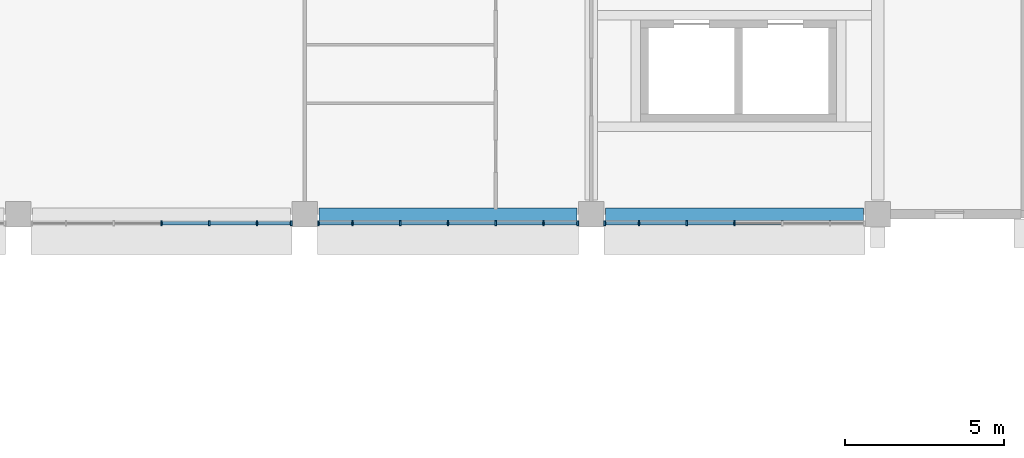
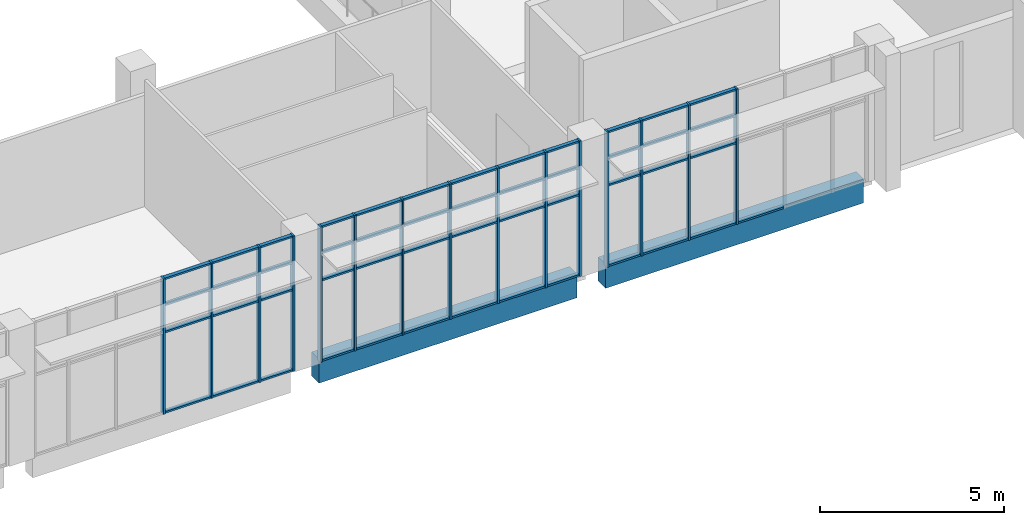
# One storey, part 5 of 106: 64 members, 2 beams, 3 elements without a shape of their own.
"""IFC4 building model written with IfcOpenShell, lengths in metres."""

from ifc_helpers import new_model, si_unit, direction, frame, origin, origin_2d, place, context, subcontext, project, spatial, rectangle, extrude, material, layer, layer_set, material_profile, profile_set, type_object, element, aggregate, save


model = new_model("IFC4")

# Units and contexts
model_context = context("Model", 3, precision=1e-05, world=origin(), true_north=direction((0.0, 1.0)))
body_context = subcontext(model_context, "Body", "Model", "MODEL_VIEW")
ifc_project = project(units=[si_unit("LENGTHUNIT", "METRE"), si_unit("AREAUNIT", "SQUARE_METRE"), si_unit("VOLUMEUNIT", "CUBIC_METRE"), si_unit("PLANEANGLEUNIT", "RADIAN"), si_unit("MASSUNIT", "GRAM", prefix="KILO")], contexts=[model_context])

# Site, building, storey
site_placement = place(None, origin())
site = spatial("IfcSite", under=ifc_project, at=site_placement, CompositionType="ELEMENT")
building_placement = place(site_placement, origin())
building = spatial("IfcBuilding", under=site, at=building_placement, Name="Guidao Yard Department Store", CompositionType="ELEMENT")
storey_placement = place(building_placement, frame((0.0, 0.0, 10.5)))
storey = spatial("IfcBuildingStorey", under=building, at=storey_placement, Name="L02", CompositionType="ELEMENT", Elevation=10.5)

# Curtain wall, members
ifc_material_1 = material(Name="Aluminium and glass", Category="aluminium")
ifc_layer = layer(ifc_material_1, 0.159912109375)
ifc_layer_set = layer_set([ifc_layer], Name="Hall front curtain wall CW2 1500 module")
curtain_wall_type = type_object("IfcCurtainWallType", Name="Hall front curtain wall CW2 1500 module", PredefinedType="NOTDEFINED", material=ifc_layer_set)
curtain_wall_1_placement = place(storey_placement, origin())
curtain_wall_1 = element("IfcCurtainWall", 1, at=curtain_wall_1_placement, inside=storey, type_object=curtain_wall_type, Name="Hall front curtain wall", PredefinedType="NOTDEFINED")
ifc_material_2 = material(Name="Aluminium 6063-T5", Category="aluminium")
ifc_material_profile_1 = material_profile(ifc_material_2, rectangle(XDim=0.06005859375, YDim=0.159912109375, at=origin_2d()), Name="Mullion M1 60 x 160 aluminium pressure plate")
ifc_profile_set_1 = profile_set([ifc_material_profile_1], Name="Aluminium 6063-T5")
member_type_1 = type_object("IfcMemberType", Name="Mullion M1 60 x 160 aluminium pressure plate", PredefinedType="MULLION", material=ifc_profile_set_1)
member_1_placement = place(storey_placement, frame((31.5, 44.719970703125, 0.0), z_axis=(0.0, 0.0, 1.0), x_axis=(-1.0, 0.0, 0.0)))
member_1 = element("IfcMember", 2, at=member_1_placement, type_object=member_type_1, Name="CW-HF-L02-03 mullion 4", PredefinedType="MULLION", context=body_context, shape_type="SweptSolid", body=[
    extrude(rectangle(XDim=0.06005859375, YDim=0.159912109375, at=origin_2d()), origin(), (0.0, 0.0, 1.0), 4.5),
])
member_2_placement = place(storey_placement, frame((33.0, 44.719970703125, 0.0), z_axis=(0.0, 0.0, 1.0), x_axis=(-1.0, 0.0, 0.0)))
member_2 = element("IfcMember", 3, at=member_2_placement, type_object=member_type_1, Name="CW-HF-L02-03 mullion 5", PredefinedType="MULLION", context=body_context, shape_type="SweptSolid", body=[
    extrude(rectangle(XDim=0.06005859375, YDim=0.159912109375, at=origin_2d()), origin(), (0.0, 0.0, 1.0), 4.5),
])
member_3_placement = place(storey_placement, frame((34.5, 44.719970703125, 0.0), z_axis=(0.0, 0.0, 1.0), x_axis=(-1.0, 0.0, 0.0)))
member_3 = element("IfcMember", 4, at=member_3_placement, type_object=member_type_1, Name="CW-HF-L02-03 mullion 6", PredefinedType="MULLION", context=body_context, shape_type="SweptSolid", body=[
    extrude(rectangle(XDim=0.06005859375, YDim=0.159912109375, at=origin_2d()), origin(), (0.0, 0.0, 1.0), 4.5),
])
member_4_placement = place(storey_placement, frame((35.570068359375, 44.719970703125, 0.0), z_axis=(0.0, 0.0, 1.0), x_axis=(-1.0, 0.0, 0.0)))
member_4 = element("IfcMember", 5, at=member_4_placement, type_object=member_type_1, Name="CW-HF-L02-03 mullion 7", PredefinedType="MULLION", context=body_context, shape_type="SweptSolid", body=[
    extrude(rectangle(XDim=0.06005859375, YDim=0.159912109375, at=origin_2d()), origin(), (0.0, 0.0, 1.0), 4.5),
])

curtain_wall_2_placement = place(storey_placement, origin())
curtain_wall_2 = element("IfcCurtainWall", 6, at=curtain_wall_2_placement, inside=storey, type_object=curtain_wall_type, Name="Hall front curtain wall", PredefinedType="NOTDEFINED")
member_5_placement = place(storey_placement, frame((36.429931640625, 44.719970703125, 0.0), z_axis=(0.0, 0.0, 1.0), x_axis=(-1.0, 0.0, 0.0)))
member_5 = element("IfcMember", 7, at=member_5_placement, type_object=member_type_1, Name="CW-HF-L02-04 mullion 1", PredefinedType="MULLION", context=body_context, shape_type="SweptSolid", body=[
    extrude(rectangle(XDim=0.06005859375, YDim=0.159912109375, at=origin_2d()), origin(), (0.0, 0.0, 1.0), 4.5),
])
member_6_placement = place(storey_placement, frame((37.5, 44.719970703125, 0.0), z_axis=(0.0, 0.0, 1.0), x_axis=(-1.0, 0.0, 0.0)))
member_6 = element("IfcMember", 8, at=member_6_placement, type_object=member_type_1, Name="CW-HF-L02-04 mullion 2", PredefinedType="MULLION", context=body_context, shape_type="SweptSolid", body=[
    extrude(rectangle(XDim=0.06005859375, YDim=0.159912109375, at=origin_2d()), origin(), (0.0, 0.0, 1.0), 4.5),
])
member_7_placement = place(storey_placement, frame((39.0, 44.719970703125, 0.0), z_axis=(0.0, 0.0, 1.0), x_axis=(-1.0, 0.0, 0.0)))
member_7 = element("IfcMember", 9, at=member_7_placement, type_object=member_type_1, Name="CW-HF-L02-04 mullion 3", PredefinedType="MULLION", context=body_context, shape_type="SweptSolid", body=[
    extrude(rectangle(XDim=0.06005859375, YDim=0.159912109375, at=origin_2d()), origin(), (0.0, 0.0, 1.0), 4.5),
])
member_8_placement = place(storey_placement, frame((40.5, 44.719970703125, 0.0), z_axis=(0.0, 0.0, 1.0), x_axis=(-1.0, 0.0, 0.0)))
member_8 = element("IfcMember", 10, at=member_8_placement, type_object=member_type_1, Name="CW-HF-L02-04 mullion 4", PredefinedType="MULLION", context=body_context, shape_type="SweptSolid", body=[
    extrude(rectangle(XDim=0.06005859375, YDim=0.159912109375, at=origin_2d()), origin(), (0.0, 0.0, 1.0), 4.5),
])
member_9_placement = place(storey_placement, frame((42.0, 44.719970703125, 0.0), z_axis=(0.0, 0.0, 1.0), x_axis=(-1.0, 0.0, 0.0)))
member_9 = element("IfcMember", 11, at=member_9_placement, type_object=member_type_1, Name="CW-HF-L02-04 mullion 5", PredefinedType="MULLION", context=body_context, shape_type="SweptSolid", body=[
    extrude(rectangle(XDim=0.06005859375, YDim=0.159912109375, at=origin_2d()), origin(), (0.0, 0.0, 1.0), 4.5),
])
member_10_placement = place(storey_placement, frame((43.5, 44.719970703125, 0.0), z_axis=(0.0, 0.0, 1.0), x_axis=(-1.0, 0.0, 0.0)))
member_10 = element("IfcMember", 12, at=member_10_placement, type_object=member_type_1, Name="CW-HF-L02-04 mullion 6", PredefinedType="MULLION", context=body_context, shape_type="SweptSolid", body=[
    extrude(rectangle(XDim=0.06005859375, YDim=0.159912109375, at=origin_2d()), origin(), (0.0, 0.0, 1.0), 4.5),
])
member_11_placement = place(storey_placement, frame((44.570068359375, 44.719970703125, 0.0), z_axis=(0.0, 0.0, 1.0), x_axis=(-1.0, 0.0, 0.0)))
member_11 = element("IfcMember", 13, at=member_11_placement, type_object=member_type_1, Name="CW-HF-L02-04 mullion 7", PredefinedType="MULLION", context=body_context, shape_type="SweptSolid", body=[
    extrude(rectangle(XDim=0.06005859375, YDim=0.159912109375, at=origin_2d()), origin(), (0.0, 0.0, 1.0), 4.5),
])

curtain_wall_3_placement = place(storey_placement, origin())
curtain_wall_3 = element("IfcCurtainWall", 14, at=curtain_wall_3_placement, inside=storey, type_object=curtain_wall_type, Name="Hall front curtain wall", PredefinedType="NOTDEFINED")
member_12_placement = place(storey_placement, frame((45.429931640625, 44.719970703125, 0.0), z_axis=(0.0, 0.0, 1.0), x_axis=(-1.0, 0.0, 0.0)))
member_12 = element("IfcMember", 15, at=member_12_placement, type_object=member_type_1, Name="CW-HF-L02-05 mullion 1", PredefinedType="MULLION", context=body_context, shape_type="SweptSolid", body=[
    extrude(rectangle(XDim=0.06005859375, YDim=0.159912109375, at=origin_2d()), origin(), (0.0, 0.0, 1.0), 4.5),
])
member_13_placement = place(storey_placement, frame((46.5, 44.719970703125, 0.0), z_axis=(0.0, 0.0, 1.0), x_axis=(-1.0, 0.0, 0.0)))
member_13 = element("IfcMember", 16, at=member_13_placement, type_object=member_type_1, Name="CW-HF-L02-05 mullion 2", PredefinedType="MULLION", context=body_context, shape_type="SweptSolid", body=[
    extrude(rectangle(XDim=0.06005859375, YDim=0.159912109375, at=origin_2d()), origin(), (0.0, 0.0, 1.0), 4.5),
])
member_14_placement = place(storey_placement, frame((48.0, 44.719970703125, 0.0), z_axis=(0.0, 0.0, 1.0), x_axis=(-1.0, 0.0, 0.0)))
member_14 = element("IfcMember", 17, at=member_14_placement, type_object=member_type_1, Name="CW-HF-L02-05 mullion 3", PredefinedType="MULLION", context=body_context, shape_type="SweptSolid", body=[
    extrude(rectangle(XDim=0.06005859375, YDim=0.159912109375, at=origin_2d()), origin(), (0.0, 0.0, 1.0), 4.5),
])
member_15_placement = place(storey_placement, frame((49.5, 44.719970703125, 0.0), z_axis=(0.0, 0.0, 1.0), x_axis=(-1.0, 0.0, 0.0)))
member_15 = element("IfcMember", 18, at=member_15_placement, type_object=member_type_1, Name="CW-HF-L02-05 mullion 4", PredefinedType="MULLION", context=body_context, shape_type="SweptSolid", body=[
    extrude(rectangle(XDim=0.06005859375, YDim=0.159912109375, at=origin_2d()), origin(), (0.0, 0.0, 1.0), 4.5),
])

# Beams
ifc_material_3 = material(Name="Concrete C40", Category="concrete")
ifc_material_profile_2 = material_profile(ifc_material_3, rectangle(XDim=0.39990234375, YDim=0.800048828125, at=origin_2d()), Name="Spandrel beam 400 x 800 C40")
ifc_profile_set_2 = profile_set([ifc_material_profile_2], Name="Concrete C40")
beam_type = type_object("IfcBeamType", Name="Spandrel beam 400 x 800 C40", PredefinedType="SPANDREL", material=ifc_profile_set_2)
for number, where, z_axis, x_axis, name in (
    (19, (36.449951171875, 45.0, -0.39990234375), (1.0, 0.0, 0.0), (0.0, 1.0, 0.0), "Beam EB04"),
    (20, (45.449951171875, 45.0, -0.39990234375), (1.0, 0.0, 0.0), (0.0, 1.0, 0.0), "Beam EB05"),
):
    element("IfcBeam", number, at=place(storey_placement, frame(where, z_axis=z_axis, x_axis=x_axis)), inside=storey, type_object=beam_type, Name=name, PredefinedType="SPANDREL", context=body_context, shape_type="SweptSolid", body=[
        extrude(rectangle(XDim=0.39990234375, YDim=0.800048828125, at=origin_2d()), origin(), (0.0, 0.0, 1.0), 8.10009765625),
    ])

# Member
ifc_material_4 = material(Name="Aluminium 6063-T5", Category="aluminium")
ifc_material_profile_3 = material_profile(ifc_material_4, rectangle(XDim=0.1201171875, YDim=0.06005859375, at=origin_2d()), Name="Transom T1 60 x 120 aluminium pressure plate")
ifc_profile_set_3 = profile_set([ifc_material_profile_3], Name="Aluminium 6063-T5")
member_type_2 = type_object("IfcMemberType", Name="Transom T1 60 x 120 aluminium pressure plate", PredefinedType="USERDEFINED", material=ifc_profile_set_3)
member_16_placement = place(storey_placement, frame((32.969970703125, 44.719970703125, 0.030029296875), z_axis=(-1.0, 0.0, 0.0), x_axis=(0.0, -1.0, 0.0)))
member_16 = element("IfcMember", 21, at=member_16_placement, type_object=member_type_2, Name="CW-HF-L02-03 transom 4.1", ObjectType="TRANSOM", PredefinedType="USERDEFINED", context=body_context, shape_type="SweptSolid", body=[
    extrude(rectangle(XDim=0.1201171875, YDim=0.06005859375, at=origin_2d()), origin(), (0.0, 0.0, 1.0), 1.43994140625),
])

member_17_placement = place(storey_placement, frame((32.969970703125, 44.719970703125, 2.699951171875), z_axis=(-1.0, 0.0, 0.0), x_axis=(0.0, -1.0, 0.0)))
member_17 = element("IfcMember", 22, at=member_17_placement, type_object=member_type_2, Name="CW-HF-L02-03 transom 4.2", ObjectType="TRANSOM", PredefinedType="USERDEFINED", context=body_context, shape_type="SweptSolid", body=[
    extrude(rectangle(XDim=0.1201171875, YDim=0.06005859375, at=origin_2d()), origin(), (0.0, 0.0, 1.0), 1.43994140625),
])

member_18_placement = place(storey_placement, frame((32.969970703125, 44.719970703125, 3.60009765625), z_axis=(-1.0, 0.0, 0.0), x_axis=(0.0, -1.0, 0.0)))
member_18 = element("IfcMember", 23, at=member_18_placement, type_object=member_type_2, Name="CW-HF-L02-03 transom 4.3", ObjectType="TRANSOM", PredefinedType="USERDEFINED", context=body_context, shape_type="SweptSolid", body=[
    extrude(rectangle(XDim=0.1201171875, YDim=0.06005859375, at=origin_2d()), origin(), (0.0, 0.0, 1.0), 1.43994140625),
])

member_19_placement = place(storey_placement, frame((32.969970703125, 44.719970703125, 4.469970703125), z_axis=(-1.0, 0.0, 0.0), x_axis=(0.0, -1.0, 0.0)))
member_19 = element("IfcMember", 24, at=member_19_placement, type_object=member_type_2, Name="CW-HF-L02-03 transom 4.4", ObjectType="TRANSOM", PredefinedType="USERDEFINED", context=body_context, shape_type="SweptSolid", body=[
    extrude(rectangle(XDim=0.1201171875, YDim=0.06005859375, at=origin_2d()), origin(), (0.0, 0.0, 1.0), 1.43994140625),
])

member_20_placement = place(storey_placement, frame((34.469970703125, 44.719970703125, 0.030029296875), z_axis=(-1.0, 0.0, 0.0), x_axis=(0.0, -1.0, 0.0)))
member_20 = element("IfcMember", 25, at=member_20_placement, type_object=member_type_2, Name="CW-HF-L02-03 transom 5.1", ObjectType="TRANSOM", PredefinedType="USERDEFINED", context=body_context, shape_type="SweptSolid", body=[
    extrude(rectangle(XDim=0.1201171875, YDim=0.06005859375, at=origin_2d()), origin(), (0.0, 0.0, 1.0), 1.43994140625),
])

member_21_placement = place(storey_placement, frame((34.469970703125, 44.719970703125, 2.699951171875), z_axis=(-1.0, 0.0, 0.0), x_axis=(0.0, -1.0, 0.0)))
member_21 = element("IfcMember", 26, at=member_21_placement, type_object=member_type_2, Name="CW-HF-L02-03 transom 5.2", ObjectType="TRANSOM", PredefinedType="USERDEFINED", context=body_context, shape_type="SweptSolid", body=[
    extrude(rectangle(XDim=0.1201171875, YDim=0.06005859375, at=origin_2d()), origin(), (0.0, 0.0, 1.0), 1.43994140625),
])

member_22_placement = place(storey_placement, frame((34.469970703125, 44.719970703125, 3.60009765625), z_axis=(-1.0, 0.0, 0.0), x_axis=(0.0, -1.0, 0.0)))
member_22 = element("IfcMember", 27, at=member_22_placement, type_object=member_type_2, Name="CW-HF-L02-03 transom 5.3", ObjectType="TRANSOM", PredefinedType="USERDEFINED", context=body_context, shape_type="SweptSolid", body=[
    extrude(rectangle(XDim=0.1201171875, YDim=0.06005859375, at=origin_2d()), origin(), (0.0, 0.0, 1.0), 1.43994140625),
])

member_23_placement = place(storey_placement, frame((34.469970703125, 44.719970703125, 4.469970703125), z_axis=(-1.0, 0.0, 0.0), x_axis=(0.0, -1.0, 0.0)))
member_23 = element("IfcMember", 28, at=member_23_placement, type_object=member_type_2, Name="CW-HF-L02-03 transom 5.4", ObjectType="TRANSOM", PredefinedType="USERDEFINED", context=body_context, shape_type="SweptSolid", body=[
    extrude(rectangle(XDim=0.1201171875, YDim=0.06005859375, at=origin_2d()), origin(), (0.0, 0.0, 1.0), 1.43994140625),
])

member_24_placement = place(storey_placement, frame((35.5400390625, 44.719970703125, 0.030029296875), z_axis=(-1.0, 0.0, 0.0), x_axis=(0.0, -1.0, 0.0)))
member_24 = element("IfcMember", 29, at=member_24_placement, type_object=member_type_2, Name="CW-HF-L02-03 transom 6.1", ObjectType="TRANSOM", PredefinedType="USERDEFINED", context=body_context, shape_type="SweptSolid", body=[
    extrude(rectangle(XDim=0.1201171875, YDim=0.06005859375, at=origin_2d()), origin(), (0.0, 0.0, 1.0), 1.010009765625),
])

member_25_placement = place(storey_placement, frame((35.5400390625, 44.719970703125, 2.699951171875), z_axis=(-1.0, 0.0, 0.0), x_axis=(0.0, -1.0, 0.0)))
member_25 = element("IfcMember", 30, at=member_25_placement, type_object=member_type_2, Name="CW-HF-L02-03 transom 6.2", ObjectType="TRANSOM", PredefinedType="USERDEFINED", context=body_context, shape_type="SweptSolid", body=[
    extrude(rectangle(XDim=0.1201171875, YDim=0.06005859375, at=origin_2d()), origin(), (0.0, 0.0, 1.0), 1.010009765625),
])

member_26_placement = place(storey_placement, frame((35.5400390625, 44.719970703125, 3.60009765625), z_axis=(-1.0, 0.0, 0.0), x_axis=(0.0, -1.0, 0.0)))
member_26 = element("IfcMember", 31, at=member_26_placement, type_object=member_type_2, Name="CW-HF-L02-03 transom 6.3", ObjectType="TRANSOM", PredefinedType="USERDEFINED", context=body_context, shape_type="SweptSolid", body=[
    extrude(rectangle(XDim=0.1201171875, YDim=0.06005859375, at=origin_2d()), origin(), (0.0, 0.0, 1.0), 1.010009765625),
])

member_27_placement = place(storey_placement, frame((35.5400390625, 44.719970703125, 4.469970703125), z_axis=(-1.0, 0.0, 0.0), x_axis=(0.0, -1.0, 0.0)))
member_27 = element("IfcMember", 32, at=member_27_placement, type_object=member_type_2, Name="CW-HF-L02-03 transom 6.4", ObjectType="TRANSOM", PredefinedType="USERDEFINED", context=body_context, shape_type="SweptSolid", body=[
    extrude(rectangle(XDim=0.1201171875, YDim=0.06005859375, at=origin_2d()), origin(), (0.0, 0.0, 1.0), 1.010009765625),
])

aggregate(curtain_wall_1, [member_1, member_2, member_3, member_4, member_16, member_17, member_18, member_19, member_20, member_21, member_22, member_23, member_24, member_25, member_26, member_27])

member_28_placement = place(storey_placement, frame((37.469970703125, 44.719970703125, 0.030029296875), z_axis=(-1.0, 0.0, 0.0), x_axis=(0.0, -1.0, 0.0)))
member_28 = element("IfcMember", 33, at=member_28_placement, type_object=member_type_2, Name="CW-HF-L02-04 transom 1.1", ObjectType="TRANSOM", PredefinedType="USERDEFINED", context=body_context, shape_type="SweptSolid", body=[
    extrude(rectangle(XDim=0.1201171875, YDim=0.06005859375, at=origin_2d()), origin(), (0.0, 0.0, 1.0), 1.010009765625),
])

member_29_placement = place(storey_placement, frame((37.469970703125, 44.719970703125, 2.699951171875), z_axis=(-1.0, 0.0, 0.0), x_axis=(0.0, -1.0, 0.0)))
member_29 = element("IfcMember", 34, at=member_29_placement, type_object=member_type_2, Name="CW-HF-L02-04 transom 1.2", ObjectType="TRANSOM", PredefinedType="USERDEFINED", context=body_context, shape_type="SweptSolid", body=[
    extrude(rectangle(XDim=0.1201171875, YDim=0.06005859375, at=origin_2d()), origin(), (0.0, 0.0, 1.0), 1.010009765625),
])

member_30_placement = place(storey_placement, frame((37.469970703125, 44.719970703125, 3.60009765625), z_axis=(-1.0, 0.0, 0.0), x_axis=(0.0, -1.0, 0.0)))
member_30 = element("IfcMember", 35, at=member_30_placement, type_object=member_type_2, Name="CW-HF-L02-04 transom 1.3", ObjectType="TRANSOM", PredefinedType="USERDEFINED", context=body_context, shape_type="SweptSolid", body=[
    extrude(rectangle(XDim=0.1201171875, YDim=0.06005859375, at=origin_2d()), origin(), (0.0, 0.0, 1.0), 1.010009765625),
])

member_31_placement = place(storey_placement, frame((37.469970703125, 44.719970703125, 4.469970703125), z_axis=(-1.0, 0.0, 0.0), x_axis=(0.0, -1.0, 0.0)))
member_31 = element("IfcMember", 36, at=member_31_placement, type_object=member_type_2, Name="CW-HF-L02-04 transom 1.4", ObjectType="TRANSOM", PredefinedType="USERDEFINED", context=body_context, shape_type="SweptSolid", body=[
    extrude(rectangle(XDim=0.1201171875, YDim=0.06005859375, at=origin_2d()), origin(), (0.0, 0.0, 1.0), 1.010009765625),
])

member_32_placement = place(storey_placement, frame((38.969970703125, 44.719970703125, 0.030029296875), z_axis=(-1.0, 0.0, 0.0), x_axis=(0.0, -1.0, 0.0)))
member_32 = element("IfcMember", 37, at=member_32_placement, type_object=member_type_2, Name="CW-HF-L02-04 transom 2.1", ObjectType="TRANSOM", PredefinedType="USERDEFINED", context=body_context, shape_type="SweptSolid", body=[
    extrude(rectangle(XDim=0.1201171875, YDim=0.06005859375, at=origin_2d()), origin(), (0.0, 0.0, 1.0), 1.43994140625),
])

member_33_placement = place(storey_placement, frame((38.969970703125, 44.719970703125, 2.699951171875), z_axis=(-1.0, 0.0, 0.0), x_axis=(0.0, -1.0, 0.0)))
member_33 = element("IfcMember", 38, at=member_33_placement, type_object=member_type_2, Name="CW-HF-L02-04 transom 2.2", ObjectType="TRANSOM", PredefinedType="USERDEFINED", context=body_context, shape_type="SweptSolid", body=[
    extrude(rectangle(XDim=0.1201171875, YDim=0.06005859375, at=origin_2d()), origin(), (0.0, 0.0, 1.0), 1.43994140625),
])

member_34_placement = place(storey_placement, frame((38.969970703125, 44.719970703125, 3.60009765625), z_axis=(-1.0, 0.0, 0.0), x_axis=(0.0, -1.0, 0.0)))
member_34 = element("IfcMember", 39, at=member_34_placement, type_object=member_type_2, Name="CW-HF-L02-04 transom 2.3", ObjectType="TRANSOM", PredefinedType="USERDEFINED", context=body_context, shape_type="SweptSolid", body=[
    extrude(rectangle(XDim=0.1201171875, YDim=0.06005859375, at=origin_2d()), origin(), (0.0, 0.0, 1.0), 1.43994140625),
])

member_35_placement = place(storey_placement, frame((38.969970703125, 44.719970703125, 4.469970703125), z_axis=(-1.0, 0.0, 0.0), x_axis=(0.0, -1.0, 0.0)))
member_35 = element("IfcMember", 40, at=member_35_placement, type_object=member_type_2, Name="CW-HF-L02-04 transom 2.4", ObjectType="TRANSOM", PredefinedType="USERDEFINED", context=body_context, shape_type="SweptSolid", body=[
    extrude(rectangle(XDim=0.1201171875, YDim=0.06005859375, at=origin_2d()), origin(), (0.0, 0.0, 1.0), 1.43994140625),
])

member_36_placement = place(storey_placement, frame((40.469970703125, 44.719970703125, 0.030029296875), z_axis=(-1.0, 0.0, 0.0), x_axis=(0.0, -1.0, 0.0)))
member_36 = element("IfcMember", 41, at=member_36_placement, type_object=member_type_2, Name="CW-HF-L02-04 transom 3.1", ObjectType="TRANSOM", PredefinedType="USERDEFINED", context=body_context, shape_type="SweptSolid", body=[
    extrude(rectangle(XDim=0.1201171875, YDim=0.06005859375, at=origin_2d()), origin(), (0.0, 0.0, 1.0), 1.43994140625),
])

member_37_placement = place(storey_placement, frame((40.469970703125, 44.719970703125, 2.699951171875), z_axis=(-1.0, 0.0, 0.0), x_axis=(0.0, -1.0, 0.0)))
member_37 = element("IfcMember", 42, at=member_37_placement, type_object=member_type_2, Name="CW-HF-L02-04 transom 3.2", ObjectType="TRANSOM", PredefinedType="USERDEFINED", context=body_context, shape_type="SweptSolid", body=[
    extrude(rectangle(XDim=0.1201171875, YDim=0.06005859375, at=origin_2d()), origin(), (0.0, 0.0, 1.0), 1.43994140625),
])

member_38_placement = place(storey_placement, frame((40.469970703125, 44.719970703125, 3.60009765625), z_axis=(-1.0, 0.0, 0.0), x_axis=(0.0, -1.0, 0.0)))
member_38 = element("IfcMember", 43, at=member_38_placement, type_object=member_type_2, Name="CW-HF-L02-04 transom 3.3", ObjectType="TRANSOM", PredefinedType="USERDEFINED", context=body_context, shape_type="SweptSolid", body=[
    extrude(rectangle(XDim=0.1201171875, YDim=0.06005859375, at=origin_2d()), origin(), (0.0, 0.0, 1.0), 1.43994140625),
])

member_39_placement = place(storey_placement, frame((40.469970703125, 44.719970703125, 4.469970703125), z_axis=(-1.0, 0.0, 0.0), x_axis=(0.0, -1.0, 0.0)))
member_39 = element("IfcMember", 44, at=member_39_placement, type_object=member_type_2, Name="CW-HF-L02-04 transom 3.4", ObjectType="TRANSOM", PredefinedType="USERDEFINED", context=body_context, shape_type="SweptSolid", body=[
    extrude(rectangle(XDim=0.1201171875, YDim=0.06005859375, at=origin_2d()), origin(), (0.0, 0.0, 1.0), 1.43994140625),
])

member_40_placement = place(storey_placement, frame((41.969970703125, 44.719970703125, 0.030029296875), z_axis=(-1.0, 0.0, 0.0), x_axis=(0.0, -1.0, 0.0)))
member_40 = element("IfcMember", 45, at=member_40_placement, type_object=member_type_2, Name="CW-HF-L02-04 transom 4.1", ObjectType="TRANSOM", PredefinedType="USERDEFINED", context=body_context, shape_type="SweptSolid", body=[
    extrude(rectangle(XDim=0.1201171875, YDim=0.06005859375, at=origin_2d()), origin(), (0.0, 0.0, 1.0), 1.43994140625),
])

member_41_placement = place(storey_placement, frame((41.969970703125, 44.719970703125, 2.699951171875), z_axis=(-1.0, 0.0, 0.0), x_axis=(0.0, -1.0, 0.0)))
member_41 = element("IfcMember", 46, at=member_41_placement, type_object=member_type_2, Name="CW-HF-L02-04 transom 4.2", ObjectType="TRANSOM", PredefinedType="USERDEFINED", context=body_context, shape_type="SweptSolid", body=[
    extrude(rectangle(XDim=0.1201171875, YDim=0.06005859375, at=origin_2d()), origin(), (0.0, 0.0, 1.0), 1.43994140625),
])

member_42_placement = place(storey_placement, frame((41.969970703125, 44.719970703125, 3.60009765625), z_axis=(-1.0, 0.0, 0.0), x_axis=(0.0, -1.0, 0.0)))
member_42 = element("IfcMember", 47, at=member_42_placement, type_object=member_type_2, Name="CW-HF-L02-04 transom 4.3", ObjectType="TRANSOM", PredefinedType="USERDEFINED", context=body_context, shape_type="SweptSolid", body=[
    extrude(rectangle(XDim=0.1201171875, YDim=0.06005859375, at=origin_2d()), origin(), (0.0, 0.0, 1.0), 1.43994140625),
])

member_43_placement = place(storey_placement, frame((41.969970703125, 44.719970703125, 4.469970703125), z_axis=(-1.0, 0.0, 0.0), x_axis=(0.0, -1.0, 0.0)))
member_43 = element("IfcMember", 48, at=member_43_placement, type_object=member_type_2, Name="CW-HF-L02-04 transom 4.4", ObjectType="TRANSOM", PredefinedType="USERDEFINED", context=body_context, shape_type="SweptSolid", body=[
    extrude(rectangle(XDim=0.1201171875, YDim=0.06005859375, at=origin_2d()), origin(), (0.0, 0.0, 1.0), 1.43994140625),
])

member_44_placement = place(storey_placement, frame((43.469970703125, 44.719970703125, 0.030029296875), z_axis=(-1.0, 0.0, 0.0), x_axis=(0.0, -1.0, 0.0)))
member_44 = element("IfcMember", 49, at=member_44_placement, type_object=member_type_2, Name="CW-HF-L02-04 transom 5.1", ObjectType="TRANSOM", PredefinedType="USERDEFINED", context=body_context, shape_type="SweptSolid", body=[
    extrude(rectangle(XDim=0.1201171875, YDim=0.06005859375, at=origin_2d()), origin(), (0.0, 0.0, 1.0), 1.43994140625),
])

member_45_placement = place(storey_placement, frame((43.469970703125, 44.719970703125, 2.699951171875), z_axis=(-1.0, 0.0, 0.0), x_axis=(0.0, -1.0, 0.0)))
member_45 = element("IfcMember", 50, at=member_45_placement, type_object=member_type_2, Name="CW-HF-L02-04 transom 5.2", ObjectType="TRANSOM", PredefinedType="USERDEFINED", context=body_context, shape_type="SweptSolid", body=[
    extrude(rectangle(XDim=0.1201171875, YDim=0.06005859375, at=origin_2d()), origin(), (0.0, 0.0, 1.0), 1.43994140625),
])

member_46_placement = place(storey_placement, frame((43.469970703125, 44.719970703125, 3.60009765625), z_axis=(-1.0, 0.0, 0.0), x_axis=(0.0, -1.0, 0.0)))
member_46 = element("IfcMember", 51, at=member_46_placement, type_object=member_type_2, Name="CW-HF-L02-04 transom 5.3", ObjectType="TRANSOM", PredefinedType="USERDEFINED", context=body_context, shape_type="SweptSolid", body=[
    extrude(rectangle(XDim=0.1201171875, YDim=0.06005859375, at=origin_2d()), origin(), (0.0, 0.0, 1.0), 1.43994140625),
])

member_47_placement = place(storey_placement, frame((43.469970703125, 44.719970703125, 4.469970703125), z_axis=(-1.0, 0.0, 0.0), x_axis=(0.0, -1.0, 0.0)))
member_47 = element("IfcMember", 52, at=member_47_placement, type_object=member_type_2, Name="CW-HF-L02-04 transom 5.4", ObjectType="TRANSOM", PredefinedType="USERDEFINED", context=body_context, shape_type="SweptSolid", body=[
    extrude(rectangle(XDim=0.1201171875, YDim=0.06005859375, at=origin_2d()), origin(), (0.0, 0.0, 1.0), 1.43994140625),
])

member_48_placement = place(storey_placement, frame((44.5400390625, 44.719970703125, 0.030029296875), z_axis=(-1.0, 0.0, 0.0), x_axis=(0.0, -1.0, 0.0)))
member_48 = element("IfcMember", 53, at=member_48_placement, type_object=member_type_2, Name="CW-HF-L02-04 transom 6.1", ObjectType="TRANSOM", PredefinedType="USERDEFINED", context=body_context, shape_type="SweptSolid", body=[
    extrude(rectangle(XDim=0.1201171875, YDim=0.06005859375, at=origin_2d()), origin(), (0.0, 0.0, 1.0), 1.010009765625),
])

member_49_placement = place(storey_placement, frame((44.5400390625, 44.719970703125, 2.699951171875), z_axis=(-1.0, 0.0, 0.0), x_axis=(0.0, -1.0, 0.0)))
member_49 = element("IfcMember", 54, at=member_49_placement, type_object=member_type_2, Name="CW-HF-L02-04 transom 6.2", ObjectType="TRANSOM", PredefinedType="USERDEFINED", context=body_context, shape_type="SweptSolid", body=[
    extrude(rectangle(XDim=0.1201171875, YDim=0.06005859375, at=origin_2d()), origin(), (0.0, 0.0, 1.0), 1.010009765625),
])

member_50_placement = place(storey_placement, frame((44.5400390625, 44.719970703125, 3.60009765625), z_axis=(-1.0, 0.0, 0.0), x_axis=(0.0, -1.0, 0.0)))
member_50 = element("IfcMember", 55, at=member_50_placement, type_object=member_type_2, Name="CW-HF-L02-04 transom 6.3", ObjectType="TRANSOM", PredefinedType="USERDEFINED", context=body_context, shape_type="SweptSolid", body=[
    extrude(rectangle(XDim=0.1201171875, YDim=0.06005859375, at=origin_2d()), origin(), (0.0, 0.0, 1.0), 1.010009765625),
])

member_51_placement = place(storey_placement, frame((44.5400390625, 44.719970703125, 4.469970703125), z_axis=(-1.0, 0.0, 0.0), x_axis=(0.0, -1.0, 0.0)))
member_51 = element("IfcMember", 56, at=member_51_placement, type_object=member_type_2, Name="CW-HF-L02-04 transom 6.4", ObjectType="TRANSOM", PredefinedType="USERDEFINED", context=body_context, shape_type="SweptSolid", body=[
    extrude(rectangle(XDim=0.1201171875, YDim=0.06005859375, at=origin_2d()), origin(), (0.0, 0.0, 1.0), 1.010009765625),
])

aggregate(curtain_wall_2, [member_5, member_6, member_7, member_8, member_9, member_10, member_11, member_28, member_29, member_30, member_31, member_32, member_33, member_34, member_35, member_36, member_37, member_38, member_39, member_40, member_41, member_42, member_43, member_44, member_45, member_46, member_47, member_48, member_49, member_50, member_51])

member_52_placement = place(storey_placement, frame((46.469970703125, 44.719970703125, 0.030029296875), z_axis=(-1.0, 0.0, 0.0), x_axis=(0.0, -1.0, 0.0)))
member_52 = element("IfcMember", 57, at=member_52_placement, type_object=member_type_2, Name="CW-HF-L02-05 transom 1.1", ObjectType="TRANSOM", PredefinedType="USERDEFINED", context=body_context, shape_type="SweptSolid", body=[
    extrude(rectangle(XDim=0.1201171875, YDim=0.06005859375, at=origin_2d()), origin(), (0.0, 0.0, 1.0), 1.010009765625),
])

member_53_placement = place(storey_placement, frame((46.469970703125, 44.719970703125, 2.699951171875), z_axis=(-1.0, 0.0, 0.0), x_axis=(0.0, -1.0, 0.0)))
member_53 = element("IfcMember", 58, at=member_53_placement, type_object=member_type_2, Name="CW-HF-L02-05 transom 1.2", ObjectType="TRANSOM", PredefinedType="USERDEFINED", context=body_context, shape_type="SweptSolid", body=[
    extrude(rectangle(XDim=0.1201171875, YDim=0.06005859375, at=origin_2d()), origin(), (0.0, 0.0, 1.0), 1.010009765625),
])

member_54_placement = place(storey_placement, frame((46.469970703125, 44.719970703125, 3.60009765625), z_axis=(-1.0, 0.0, 0.0), x_axis=(0.0, -1.0, 0.0)))
member_54 = element("IfcMember", 59, at=member_54_placement, type_object=member_type_2, Name="CW-HF-L02-05 transom 1.3", ObjectType="TRANSOM", PredefinedType="USERDEFINED", context=body_context, shape_type="SweptSolid", body=[
    extrude(rectangle(XDim=0.1201171875, YDim=0.06005859375, at=origin_2d()), origin(), (0.0, 0.0, 1.0), 1.010009765625),
])

member_55_placement = place(storey_placement, frame((46.469970703125, 44.719970703125, 4.469970703125), z_axis=(-1.0, 0.0, 0.0), x_axis=(0.0, -1.0, 0.0)))
member_55 = element("IfcMember", 60, at=member_55_placement, type_object=member_type_2, Name="CW-HF-L02-05 transom 1.4", ObjectType="TRANSOM", PredefinedType="USERDEFINED", context=body_context, shape_type="SweptSolid", body=[
    extrude(rectangle(XDim=0.1201171875, YDim=0.06005859375, at=origin_2d()), origin(), (0.0, 0.0, 1.0), 1.010009765625),
])

member_56_placement = place(storey_placement, frame((47.969970703125, 44.719970703125, 0.030029296875), z_axis=(-1.0, 0.0, 0.0), x_axis=(0.0, -1.0, 0.0)))
member_56 = element("IfcMember", 61, at=member_56_placement, type_object=member_type_2, Name="CW-HF-L02-05 transom 2.1", ObjectType="TRANSOM", PredefinedType="USERDEFINED", context=body_context, shape_type="SweptSolid", body=[
    extrude(rectangle(XDim=0.1201171875, YDim=0.06005859375, at=origin_2d()), origin(), (0.0, 0.0, 1.0), 1.43994140625),
])

member_57_placement = place(storey_placement, frame((47.969970703125, 44.719970703125, 2.699951171875), z_axis=(-1.0, 0.0, 0.0), x_axis=(0.0, -1.0, 0.0)))
member_57 = element("IfcMember", 62, at=member_57_placement, type_object=member_type_2, Name="CW-HF-L02-05 transom 2.2", ObjectType="TRANSOM", PredefinedType="USERDEFINED", context=body_context, shape_type="SweptSolid", body=[
    extrude(rectangle(XDim=0.1201171875, YDim=0.06005859375, at=origin_2d()), origin(), (0.0, 0.0, 1.0), 1.43994140625),
])

member_58_placement = place(storey_placement, frame((47.969970703125, 44.719970703125, 3.60009765625), z_axis=(-1.0, 0.0, 0.0), x_axis=(0.0, -1.0, 0.0)))
member_58 = element("IfcMember", 63, at=member_58_placement, type_object=member_type_2, Name="CW-HF-L02-05 transom 2.3", ObjectType="TRANSOM", PredefinedType="USERDEFINED", context=body_context, shape_type="SweptSolid", body=[
    extrude(rectangle(XDim=0.1201171875, YDim=0.06005859375, at=origin_2d()), origin(), (0.0, 0.0, 1.0), 1.43994140625),
])

member_59_placement = place(storey_placement, frame((47.969970703125, 44.719970703125, 4.469970703125), z_axis=(-1.0, 0.0, 0.0), x_axis=(0.0, -1.0, 0.0)))
member_59 = element("IfcMember", 64, at=member_59_placement, type_object=member_type_2, Name="CW-HF-L02-05 transom 2.4", ObjectType="TRANSOM", PredefinedType="USERDEFINED", context=body_context, shape_type="SweptSolid", body=[
    extrude(rectangle(XDim=0.1201171875, YDim=0.06005859375, at=origin_2d()), origin(), (0.0, 0.0, 1.0), 1.43994140625),
])

member_60_placement = place(storey_placement, frame((49.469970703125, 44.719970703125, 0.030029296875), z_axis=(-1.0, 0.0, 0.0), x_axis=(0.0, -1.0, 0.0)))
member_60 = element("IfcMember", 65, at=member_60_placement, type_object=member_type_2, Name="CW-HF-L02-05 transom 3.1", ObjectType="TRANSOM", PredefinedType="USERDEFINED", context=body_context, shape_type="SweptSolid", body=[
    extrude(rectangle(XDim=0.1201171875, YDim=0.06005859375, at=origin_2d()), origin(), (0.0, 0.0, 1.0), 1.43994140625),
])

member_61_placement = place(storey_placement, frame((49.469970703125, 44.719970703125, 2.699951171875), z_axis=(-1.0, 0.0, 0.0), x_axis=(0.0, -1.0, 0.0)))
member_61 = element("IfcMember", 66, at=member_61_placement, type_object=member_type_2, Name="CW-HF-L02-05 transom 3.2", ObjectType="TRANSOM", PredefinedType="USERDEFINED", context=body_context, shape_type="SweptSolid", body=[
    extrude(rectangle(XDim=0.1201171875, YDim=0.06005859375, at=origin_2d()), origin(), (0.0, 0.0, 1.0), 1.43994140625),
])

member_62_placement = place(storey_placement, frame((49.469970703125, 44.719970703125, 3.60009765625), z_axis=(-1.0, 0.0, 0.0), x_axis=(0.0, -1.0, 0.0)))
member_62 = element("IfcMember", 67, at=member_62_placement, type_object=member_type_2, Name="CW-HF-L02-05 transom 3.3", ObjectType="TRANSOM", PredefinedType="USERDEFINED", context=body_context, shape_type="SweptSolid", body=[
    extrude(rectangle(XDim=0.1201171875, YDim=0.06005859375, at=origin_2d()), origin(), (0.0, 0.0, 1.0), 1.43994140625),
])

member_63_placement = place(storey_placement, frame((49.469970703125, 44.719970703125, 4.469970703125), z_axis=(-1.0, 0.0, 0.0), x_axis=(0.0, -1.0, 0.0)))
member_63 = element("IfcMember", 68, at=member_63_placement, type_object=member_type_2, Name="CW-HF-L02-05 transom 3.4", ObjectType="TRANSOM", PredefinedType="USERDEFINED", context=body_context, shape_type="SweptSolid", body=[
    extrude(rectangle(XDim=0.1201171875, YDim=0.06005859375, at=origin_2d()), origin(), (0.0, 0.0, 1.0), 1.43994140625),
])

member_64_placement = place(storey_placement, frame((50.969970703125, 44.719970703125, 0.030029296875), z_axis=(-1.0, 0.0, 0.0), x_axis=(0.0, -1.0, 0.0)))
member_64 = element("IfcMember", 69, at=member_64_placement, type_object=member_type_2, Name="CW-HF-L02-05 transom 4.1", ObjectType="TRANSOM", PredefinedType="USERDEFINED", context=body_context, shape_type="SweptSolid", body=[
    extrude(rectangle(XDim=0.1201171875, YDim=0.06005859375, at=origin_2d()), origin(), (0.0, 0.0, 1.0), 1.43994140625),
])

aggregate(curtain_wall_3, [member_12, member_13, member_14, member_15, member_52, member_53, member_54, member_55, member_56, member_57, member_58, member_59, member_60, member_61, member_62, member_63, member_64])

save(model, "model.ifc")
